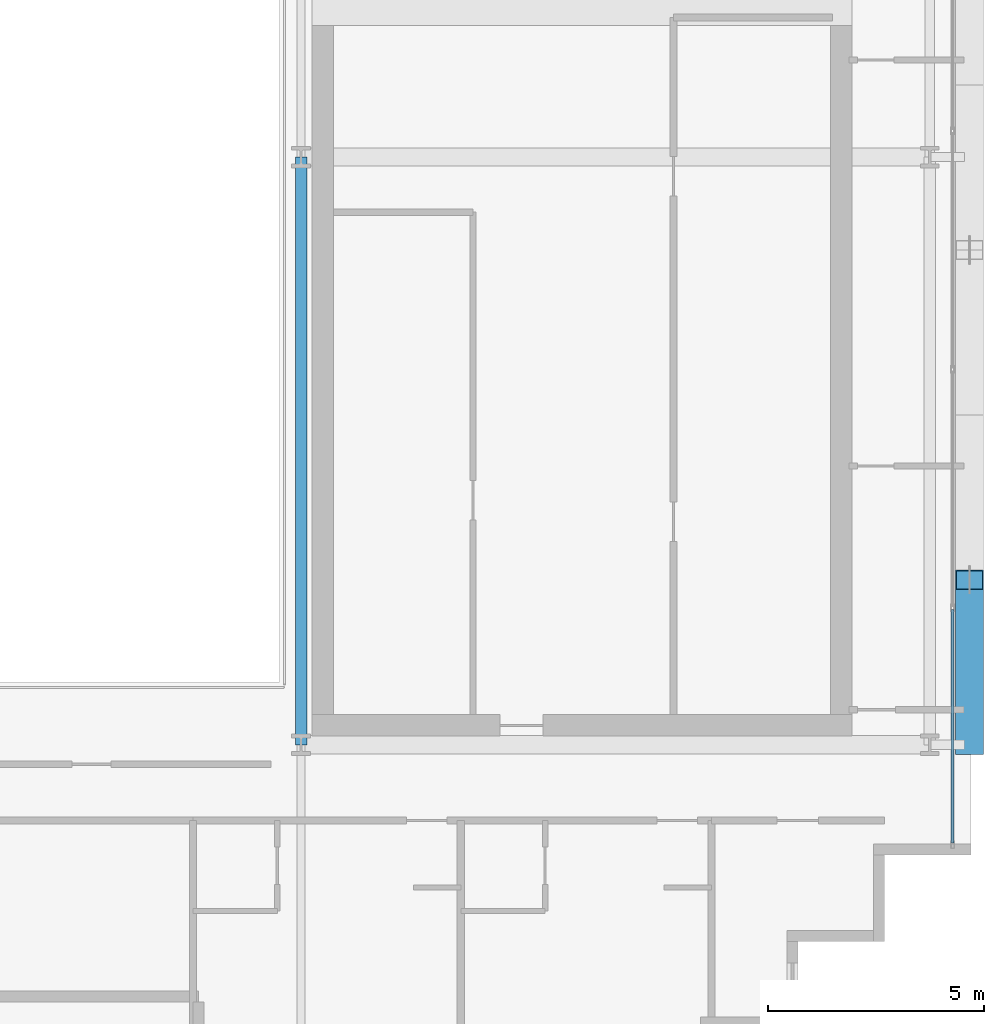
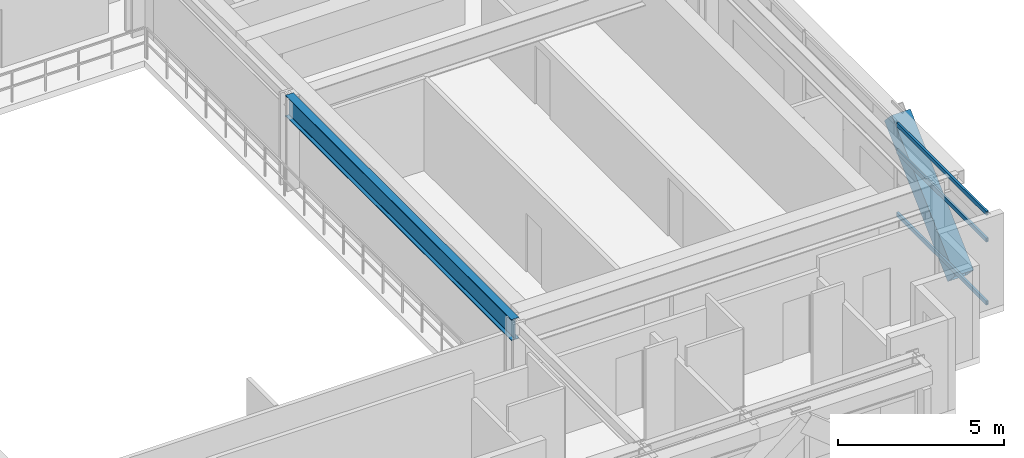
# One storey, part 11 of 31: 4 members, 1 beam, 1 element without a shape of its own.
"""IFC4 building model written with IfcOpenShell, lengths in metres."""

from ifc_helpers import new_model, si_unit, direction, frame, origin, origin_2d, place, context, subcontext, project, spatial, hollow_rectangle, i_section, extrude, source, transform, mapped, material, layer, layer_set, material_profile, profile_set, type_object, element, aggregate, save


model = new_model("IFC4")

# Units and contexts
model_context = context("Model", 3, precision=1e-05, world=origin(), true_north=direction((0.0, 1.0)))
body_context = subcontext(model_context, "Body", "Model", "MODEL_VIEW")
ifc_project = project(units=[si_unit("LENGTHUNIT", "METRE"), si_unit("AREAUNIT", "SQUARE_METRE"), si_unit("VOLUMEUNIT", "CUBIC_METRE"), si_unit("PLANEANGLEUNIT", "RADIAN"), si_unit("MASSUNIT", "GRAM", prefix="KILO")], contexts=[model_context])

# Site, building, storey
site_placement = place(None, origin())
site = spatial("IfcSite", under=ifc_project, at=site_placement, CompositionType="ELEMENT")
building_placement = place(site_placement, origin())
building = spatial("IfcBuilding", under=site, at=building_placement, Name="Ocotamira Hotel", CompositionType="ELEMENT")
storey_placement = place(building_placement, frame((0.0, 0.0, 181.199951171875)))
storey = spatial("IfcBuildingStorey", under=building, at=storey_placement, Name="L45", CompositionType="ELEMENT", Elevation=181.199951171875)

# Beam
ifc_material_1 = material(Name="Steel ASTM A992 Grade 50", Category="steel")
ifc_material_profile_1 = material_profile(ifc_material_1, i_section(OverallWidth=0.26611328125, OverallDepth=0.779052734375, WebThickness=0.0166015625, FlangeThickness=0.030029296875, FilletRadius=0.01806640625, at=origin_2d()), Name="W30X148")
ifc_profile_set_1 = profile_set([ifc_material_profile_1], Name="Steel ASTM A992 Grade 50")
beam_type = type_object("IfcBeamType", Name="BM-GIRD-W30X148", PredefinedType="BEAM", material=ifc_profile_set_1)
shared_shape_1 = source(origin(), body_context, "Body", "SweptSolid", [
    extrude(i_section(OverallWidth=0.26611328125, OverallDepth=0.779052734375, WebThickness=0.0166015625, FlangeThickness=0.030029296875, FilletRadius=0.01806640625, at=origin_2d()), origin(), (0.0, 0.0, 1.0), 13.599853515625),
])
beam_placement = place(storey_placement, frame((40.5, 14.550048828125, 2.98046875), z_axis=(0.0, 1.0, 0.0), x_axis=(-1.0, 0.0, 0.0)))
element("IfcBeam", 1, at=beam_placement, inside=storey, type_object=beam_type, Name="L45 Beam X40.5 Y14.55-28.15", PredefinedType="BEAM", context=body_context, shape_type="MappedRepresentation", body=[
    mapped(shared_shape_1, transform((0.0, 0.0, 0.0), scale=1.0)),
])

# Member
ifc_material_2 = material(Name="Pale-metal coated steel ASTM A913 Grade 65", Category="steel")
ifc_material_profile_2 = material_profile(ifc_material_2, hollow_rectangle(XDim=0.64990234375, YDim=0.64990234375, WallThickness=0.02197265625, at=origin_2d()), Name="BOX650X650X22")
ifc_profile_set_2 = profile_set([ifc_material_profile_2], Name="Pale-metal coated steel ASTM A913 Grade 65")
member_type_1 = type_object("IfcMemberType", Name="MEM-EXO-BOX650", PredefinedType="BRACE", material=ifc_profile_set_2)
shared_shape_2 = source(origin(), body_context, "Body", "SweptSolid", [
    extrude(hollow_rectangle(XDim=0.64990234375, YDim=0.64990234375, WallThickness=0.02197265625, at=origin_2d()), origin(), (0.0, 0.0, 1.0), 5.24658203125),
])
member_1_placement = place(storey_placement, frame((55.969970703125, 14.550048828125, -0.47998046875), z_axis=(0.0, 0.727442733726, 0.686168397078), x_axis=(-1.0, 0.0, 0.0)))
element("IfcMember", 2, at=member_1_placement, inside=storey, type_object=member_type_1, Name="L45 Exoskeleton Diagrid E0.1", PredefinedType="BRACE", context=body_context, shape_type="MappedRepresentation", body=[
    mapped(shared_shape_2, transform((0.0, 0.0, 0.0), scale=1.0)),
])

# Curtain wall, members
ifc_material_3 = material(Name="Anodised pale-metal aluminium and solar glass", Category="aluminium")
ifc_layer = layer(ifc_material_3, 0.199951171875)
ifc_layer_set = layer_set([ifc_layer], Name="Anodised pale-metal aluminium and solar glass")
curtain_wall_type = type_object("IfcCurtainWallType", Name="CW-SYS4-Z3", PredefinedType="NOTDEFINED", material=ifc_layer_set)
curtain_wall_placement = place(storey_placement, origin())
curtain_wall = element("IfcCurtainWall", 3, at=curtain_wall_placement, inside=storey, type_object=curtain_wall_type, Name="L45 Curtain Wall CW-4 CW-L45-E", PredefinedType="NOTDEFINED")
ifc_material_4 = material(Name="Anodised pale-metal aluminium 6063-T6", Category="aluminium")
ifc_material_profile_3 = material_profile(ifc_material_4, hollow_rectangle(XDim=0.074951171875, YDim=0.14990234375, WallThickness=0.006103515625, at=origin_2d()), Name="HSS150X75X6")
ifc_profile_set_3 = profile_set([ifc_material_profile_3], Name="Anodised pale-metal aluminium 6063-T6")
member_type_2 = type_object("IfcMemberType", Name="CWT-150X75", PredefinedType="USERDEFINED", material=ifc_profile_set_3)
shared_shape_3 = source(origin(), body_context, "Body", "SweptSolid", [
    extrude(hollow_rectangle(XDim=0.074951171875, YDim=0.14990234375, WallThickness=0.006103515625, at=origin_2d()), origin(), (0.0, 0.0, 1.0), 5.39990234375),
])
member_2_placement = place(storey_placement, frame((55.580078125, 12.280029296875, 0.03759765625), z_axis=(0.0, 1.0, 0.0), x_axis=(-1.0, 0.0, 0.0)))
member_2 = element("IfcMember", 4, at=member_2_placement, type_object=member_type_2, Name="CW-4 transom 1.1", ObjectType="TRANSOM", PredefinedType="USERDEFINED", context=body_context, shape_type="MappedRepresentation", body=[
    mapped(shared_shape_3, transform((0.0, 0.0, 0.0), scale=1.0)),
])
member_3_placement = place(storey_placement, frame((55.580078125, 12.280029296875, 2.35009765625), z_axis=(0.0, 1.0, 0.0), x_axis=(-1.0, 0.0, 0.0)))
member_3 = element("IfcMember", 5, at=member_3_placement, type_object=member_type_2, Name="CW-4 transom 1.2", ObjectType="TRANSOM", PredefinedType="USERDEFINED", context=body_context, shape_type="MappedRepresentation", body=[
    mapped(shared_shape_3, transform((0.0, 0.0, 0.0), scale=1.0)),
])
member_4_placement = place(storey_placement, frame((55.580078125, 12.280029296875, 3.33251953125), z_axis=(0.0, 1.0, 0.0), x_axis=(-1.0, 0.0, 0.0)))
member_4 = element("IfcMember", 6, at=member_4_placement, type_object=member_type_2, Name="CW-4 transom 1.3", ObjectType="TRANSOM", PredefinedType="USERDEFINED", context=body_context, shape_type="MappedRepresentation", body=[
    mapped(shared_shape_3, transform((0.0, 0.0, 0.0), scale=1.0)),
])
aggregate(curtain_wall, [member_2, member_3, member_4])

save(model, "model.ifc")
